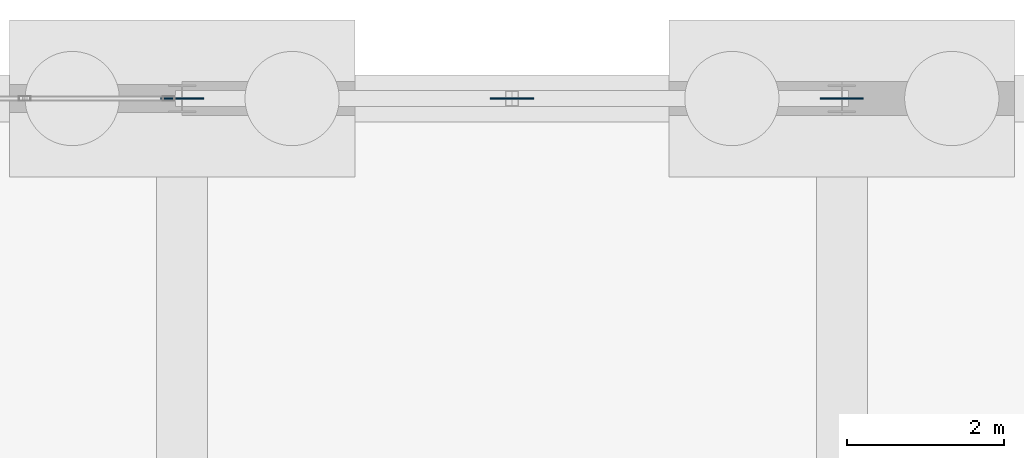
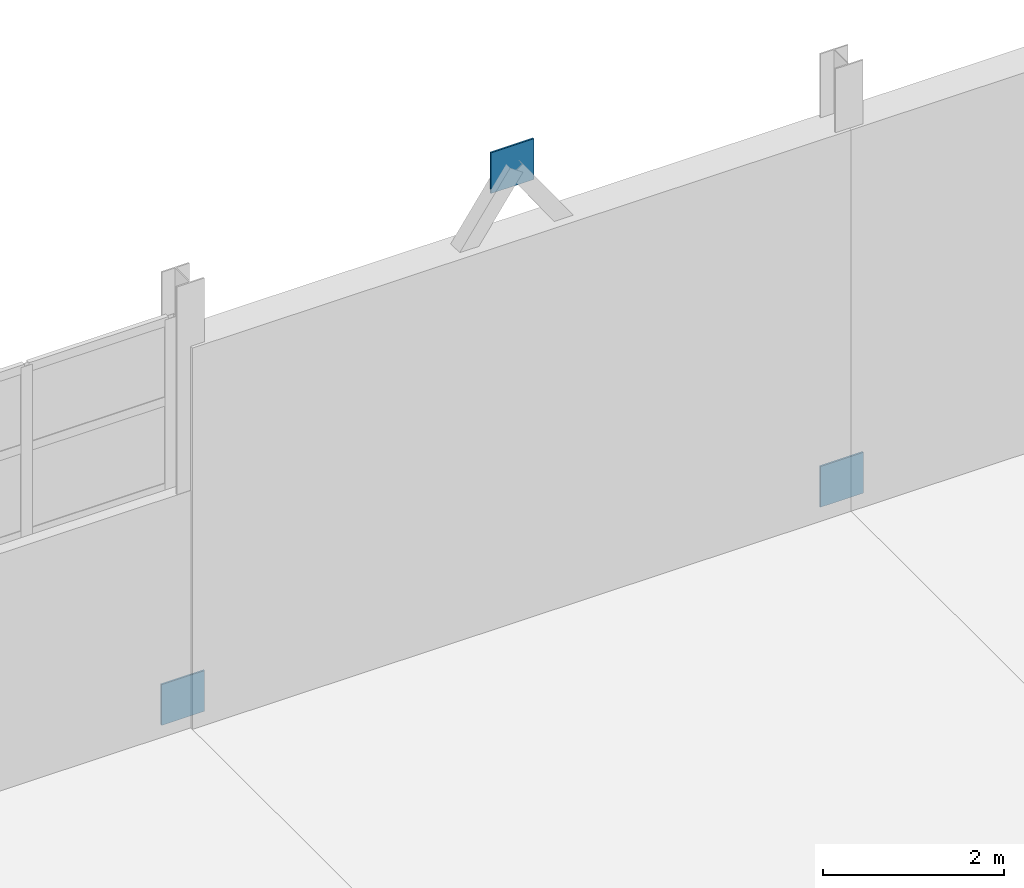
# One storey, part 118 of 139: 3 plates.
"""IFC4 building model written with IfcOpenShell, lengths in metres."""

from ifc_helpers import new_model, si_unit, direction, frame, origin, origin_2d, place, context, subcontext, project, spatial, rectangle, extrude, material, layer, layer_set, type_object, element, save


model = new_model("IFC4")

# Units and contexts
model_context = context("Model", 3, precision=1e-05, world=origin(), true_north=direction((0.0, 1.0)))
body_context = subcontext(model_context, "Body", "Model", "MODEL_VIEW")
ifc_project = project(units=[si_unit("LENGTHUNIT", "METRE"), si_unit("AREAUNIT", "SQUARE_METRE"), si_unit("VOLUMEUNIT", "CUBIC_METRE"), si_unit("PLANEANGLEUNIT", "RADIAN"), si_unit("MASSUNIT", "GRAM", prefix="KILO")], contexts=[model_context])

# Site, building, storey
site_placement = place(None, origin())
site = spatial("IfcSite", under=ifc_project, at=site_placement, CompositionType="ELEMENT")
building_placement = place(site_placement, origin())
building = spatial("IfcBuilding", under=site, at=building_placement, Name="Kazenagashi Tramway Depot", CompositionType="ELEMENT")
storey_placement = place(building_placement, origin())
storey = spatial("IfcBuildingStorey", under=building, at=storey_placement, Name="L01", CompositionType="ELEMENT", Elevation=0.0)

# Plates
ifc_material = material(Name="Steel SN490B", Category="steel")
ifc_layer = layer(ifc_material, 0.022)
ifc_layer_set = layer_set([ifc_layer], Name="Steel SN490B")
plate_type = type_object("IfcPlateType", Name="GP-01", PredefinedType="USERDEFINED", material=ifc_layer_set)
for number, where, z_axis, x_axis, name in (
    (1, (179.2, 130.0, 0.025), (0.0, 0.0, 1.0), (1.0, 0.0, 0.0), "Structural Node Plate GP-01 PLT-0165"),
    (2, (183.4, 130.0, 5.725), (0.0, 0.0, 1.0), (1.0, 0.0, 0.0), "Structural Node Plate GP-01 PLT-0166"),
    (3, (187.6, 130.0, 0.025), (0.0, 0.0, 1.0), (1.0, 0.0, 0.0), "Structural Node Plate GP-01 PLT-0167"),
):
    element("IfcPlate", number, at=place(storey_placement, frame(where, z_axis=z_axis, x_axis=x_axis)), inside=storey, type_object=plate_type, Name=name, ObjectType="GUSSET PLATE", PredefinedType="USERDEFINED", context=body_context, shape_type="SweptSolid", body=[
        extrude(rectangle(XDim=0.55, YDim=0.022, at=origin_2d()), origin(), (0.0, 0.0, 1.0), 0.55),
    ])

save(model, "model.ifc")
